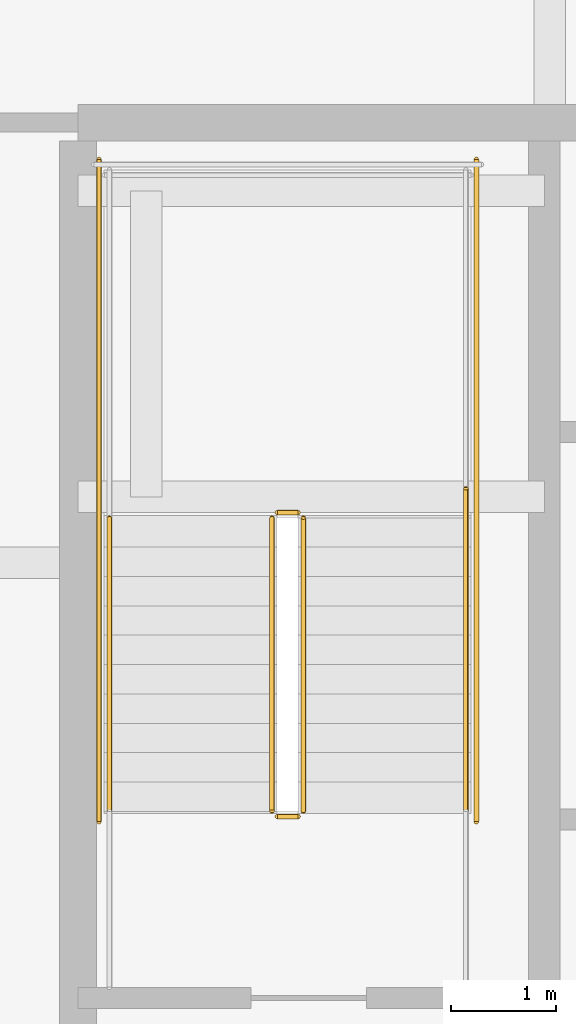
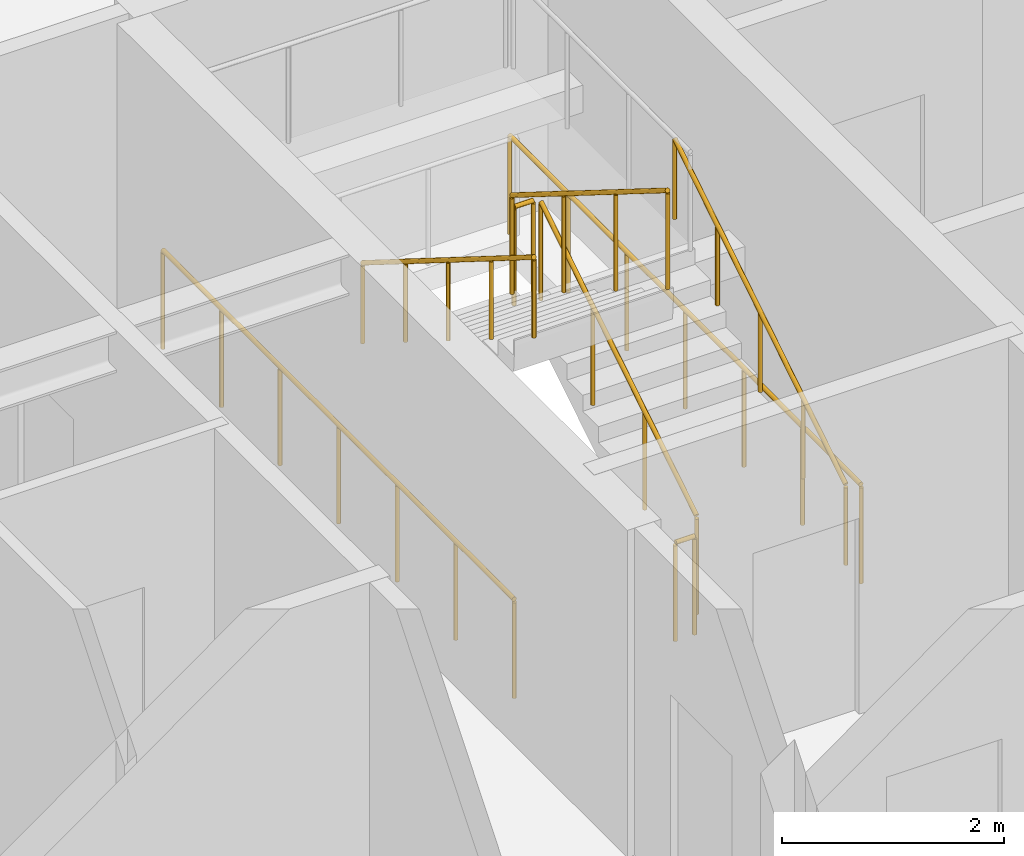
# One storey, part 34 of 37: 8 railings.
"""IFC4 building model written with IfcOpenShell, lengths in metres."""

from ifc_helpers import new_model, si_unit, direction, frame, origin, origin_2d, place, context, subcontext, project, spatial, circle, extrude, material, type_object, element, save


model = new_model("IFC4")

# Units and contexts
model_context = context("Model", 3, precision=1e-05, world=origin(), true_north=direction((0.0, 1.0)))
body_context = subcontext(model_context, "Body", "Model", "MODEL_VIEW")
ifc_project = project(units=[si_unit("LENGTHUNIT", "METRE"), si_unit("AREAUNIT", "SQUARE_METRE"), si_unit("VOLUMEUNIT", "CUBIC_METRE"), si_unit("PLANEANGLEUNIT", "RADIAN"), si_unit("MASSUNIT", "GRAM", prefix="KILO")], contexts=[model_context])

# Site, building, storey
site_placement = place(None, origin())
site = spatial("IfcSite", under=ifc_project, at=site_placement, CompositionType="ELEMENT")
building_placement = place(site_placement, origin())
building = spatial("IfcBuilding", under=site, at=building_placement, Name="Serunith Strait Residences", CompositionType="ELEMENT")
storey_placement = place(building_placement, frame((0.0, 0.0, 260.5)))
storey = spatial("IfcBuildingStorey", under=building, at=storey_placement, Name="L65", CompositionType="ELEMENT", Elevation=260.5)

# Railings
ifc_material = material(Name="Brushed stainless steel 316L", Category="steel")
railing_type_1 = type_object("IfcRailingType", Name="RLG-STAIR-GUARD", PredefinedType="BALUSTRADE", material=ifc_material)
railing_1_placement = place(storey_placement, frame((25.550048828125, 27.030029296875, 0.175048828125)))
element("IfcRailing", 1, at=railing_1_placement, inside=storey, type_object=railing_type_1, Name="L65 ST-1 stair guard 1", PredefinedType="BALUSTRADE", context=body_context, shape_type="SweptSolid", body=[
    extrude(circle(Radius=0.02392578125, at=origin_2d()), frame((0.0, 0.001708984375, 1.0771484375), z_axis=(0.0, 0.848002457836, 0.529992293815), x_axis=(-1.0, 0.0, 0.0)), (0.0, 0.0, 1.0), 3.2978515625),
    extrude(circle(Radius=0.02099609375, at=origin_2d()), origin(), (0.0, 0.0, 1.0), 1.050048828125),
    extrude(circle(Radius=0.02099609375, at=origin_2d()), frame((0.0, 0.933349609375, 0.583251953125)), (0.0, 0.0, 1.0), 1.050048828125),
    extrude(circle(Radius=0.02099609375, at=origin_2d()), frame((0.0, 1.86669921875, 1.166748046875)), (0.0, 0.0, 1.0), 1.050048828125),
    extrude(circle(Radius=0.02099609375, at=origin_2d()), frame((0.0, 2.800048828125, 1.75)), (0.0, 0.0, 1.0), 1.050048828125),
])
railing_2_placement = place(storey_placement, frame((25.5, 29.8798828125, 1.925048828125)))
element("IfcRailing", 2, at=railing_2_placement, inside=storey, type_object=railing_type_1, Name="L65 ST-1 stair guard 2", PredefinedType="BALUSTRADE", context=body_context, shape_type="SweptSolid", body=[
    extrude(circle(Radius=0.02392578125, at=origin_2d()), frame((-0.001953125, 0.0, 1.076171875), z_axis=(-1.0, 0.0, 0.0), x_axis=(0.0, -1.0, 0.0)), (0.0, 0.0, 1.0), 0.196044921875),
    extrude(circle(Radius=0.02099609375, at=origin_2d()), origin(), (0.0, 0.0, 1.0), 1.050048828125),
    extrude(circle(Radius=0.02099609375, at=origin_2d()), frame((-0.199951171875, 0.0, 0.0)), (0.0, 0.0, 1.0), 1.050048828125),
])
railing_3_placement = place(storey_placement, frame((25.25, 29.830078125, 2.10009765625)))
element("IfcRailing", 3, at=railing_3_placement, inside=storey, type_object=railing_type_1, Name="L65 ST-1 stair guard 6", PredefinedType="BALUSTRADE", context=body_context, shape_type="SweptSolid", body=[
    extrude(circle(Radius=0.02392578125, at=origin_2d()), frame((0.0, -0.001708984375, 1.0771484375), z_axis=(0.0, -0.848002457836, 0.529992293815), x_axis=(1.0, 0.0, 0.0)), (0.0, 0.0, 1.0), 3.2978515625),
    extrude(circle(Radius=0.02099609375, at=origin_2d()), origin(), (0.0, 0.0, 1.0), 1.050048828125),
    extrude(circle(Radius=0.02099609375, at=origin_2d()), frame((0.0, -0.933349609375, 0.583251953125)), (0.0, 0.0, 1.0), 1.050048828125),
    extrude(circle(Radius=0.02099609375, at=origin_2d()), frame((0.0, -1.86669921875, 1.166748046875)), (0.0, 0.0, 1.0), 1.050048828125),
    extrude(circle(Radius=0.02099609375, at=origin_2d()), frame((0.0, -2.800048828125, 1.75)), (0.0, 0.0, 1.0), 1.050048828125),
])
railing_4_placement = place(storey_placement, frame((25.5, 26.97998046875, 0.0)))
element("IfcRailing", 4, at=railing_4_placement, inside=storey, type_object=railing_type_1, Name="L65 ST-1 stair guard 7", PredefinedType="BALUSTRADE", context=body_context, shape_type="SweptSolid", body=[
    extrude(circle(Radius=0.02392578125, at=origin_2d()), frame((-0.001953125, 0.0, 1.076171875), z_axis=(-1.0, 0.0, 0.0), x_axis=(0.0, -1.0, 0.0)), (0.0, 0.0, 1.0), 0.196044921875),
    extrude(circle(Radius=0.02099609375, at=origin_2d()), origin(), (0.0, 0.0, 1.0), 1.050048828125),
    extrude(circle(Radius=0.02099609375, at=origin_2d()), frame((-0.199951171875, 0.0, 0.0)), (0.0, 0.0, 1.0), 1.050048828125),
])
for number, where, name in (
    (5, (27.199951171875, 26.929931640625, 0.0), "L65 ST-1 stair guard 10"),
    (6, (23.60009765625, 26.929931640625, 0.0), "L65 ST-1 stair guard 11"),
):
    element("IfcRailing", number, at=place(storey_placement, frame(where)), inside=storey, type_object=railing_type_1, Name=name, PredefinedType="BALUSTRADE", context=body_context, shape_type="SweptSolid", body=[
        extrude(circle(Radius=0.02392578125, at=origin_2d()), frame((0.0, 0.001953125, 1.076171875), z_axis=(0.0, 1.0, 0.0), x_axis=(-1.0, 0.0, 0.0)), (0.0, 0.0, 1.0), 6.316162109375),
        extrude(circle(Radius=0.02099609375, at=origin_2d()), origin(), (0.0, 0.0, 1.0), 1.050048828125),
        extrude(circle(Radius=0.02099609375, at=origin_2d()), frame((0.0, 1.05322265625, 0.0)), (0.0, 0.0, 1.0), 1.050048828125),
        extrude(circle(Radius=0.02099609375, at=origin_2d()), frame((0.0, 2.106689453125, 0.0)), (0.0, 0.0, 1.0), 1.050048828125),
        extrude(circle(Radius=0.02099609375, at=origin_2d()), frame((0.0, 3.16015625, 0.0)), (0.0, 0.0, 1.0), 1.050048828125),
        extrude(circle(Radius=0.02099609375, at=origin_2d()), frame((0.0, 4.21337890625, 0.0)), (0.0, 0.0, 1.0), 1.050048828125),
        extrude(circle(Radius=0.02099609375, at=origin_2d()), frame((0.0, 5.2666015625, 0.0)), (0.0, 0.0, 1.0), 1.050048828125),
        extrude(circle(Radius=0.02099609375, at=origin_2d()), frame((0.0, 6.320068359375, 0.0)), (0.0, 0.0, 1.0), 1.050048828125),
    ])
railing_type_2 = type_object("IfcRailingType", Name="RLG-STAIR-HR", PredefinedType="HANDRAIL", material=ifc_material)
railing_5_placement = place(storey_placement, frame((27.10009765625, 27.030029296875, 0.175048828125)))
element("IfcRailing", 7, at=railing_5_placement, inside=storey, type_object=railing_type_2, Name="L65 ST-1 stair handrail 1", PredefinedType="HANDRAIL", context=body_context, shape_type="SweptSolid", body=[
    extrude(circle(Radius=0.02392578125, at=origin_2d()), frame((0.0, 0.001708984375, 0.876953125), z_axis=(0.0, 0.847393994688, 0.530964610654), x_axis=(-1.0, 0.0, 0.0)), (0.0, 0.0, 1.0), 3.630859375),
    extrude(circle(Radius=0.02099609375, at=origin_2d()), origin(), (0.0, 0.0, 1.0), 0.849853515625),
    extrude(circle(Radius=0.02099609375, at=origin_2d()), frame((0.0, 0.77001953125, 0.482421875)), (0.0, 0.0, 1.0), 0.849853515625),
    extrude(circle(Radius=0.02099609375, at=origin_2d()), frame((0.0, 1.5400390625, 0.96484375)), (0.0, 0.0, 1.0), 0.849853515625),
    extrude(circle(Radius=0.02099609375, at=origin_2d()), frame((0.0, 2.31005859375, 1.447509765625)), (0.0, 0.0, 1.0), 0.849853515625),
    extrude(circle(Radius=0.02099609375, at=origin_2d()), frame((0.0, 3.080078125, 1.929931640625)), (0.0, 0.0, 1.0), 0.849853515625),
])
railing_6_placement = place(storey_placement, frame((23.699951171875, 29.830078125, 2.10009765625)))
element("IfcRailing", 8, at=railing_6_placement, inside=storey, type_object=railing_type_2, Name="L65 ST-1 stair handrail 2", PredefinedType="HANDRAIL", context=body_context, shape_type="SweptSolid", body=[
    extrude(circle(Radius=0.02392578125, at=origin_2d()), frame((0.0, -0.001708984375, 0.876953125), z_axis=(0.0, -0.847393994688, 0.530964610654), x_axis=(1.0, 0.0, 0.0)), (0.0, 0.0, 1.0), 3.630859375),
    extrude(circle(Radius=0.02099609375, at=origin_2d()), origin(), (0.0, 0.0, 1.0), 0.849853515625),
    extrude(circle(Radius=0.02099609375, at=origin_2d()), frame((0.0, -0.77001953125, 0.482421875)), (0.0, 0.0, 1.0), 0.849853515625),
    extrude(circle(Radius=0.02099609375, at=origin_2d()), frame((0.0, -1.5400390625, 0.96484375)), (0.0, 0.0, 1.0), 0.849853515625),
    extrude(circle(Radius=0.02099609375, at=origin_2d()), frame((0.0, -2.31005859375, 1.447509765625)), (0.0, 0.0, 1.0), 0.849853515625),
    extrude(circle(Radius=0.02099609375, at=origin_2d()), frame((0.0, -3.080078125, 1.929931640625)), (0.0, 0.0, 1.0), 0.849853515625),
])

save(model, "model.ifc")
